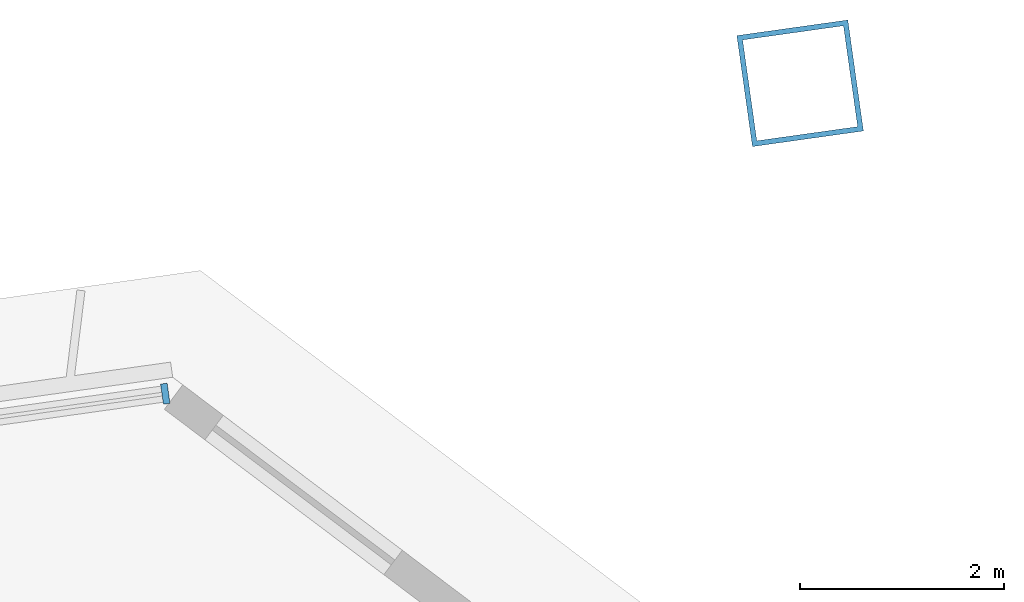
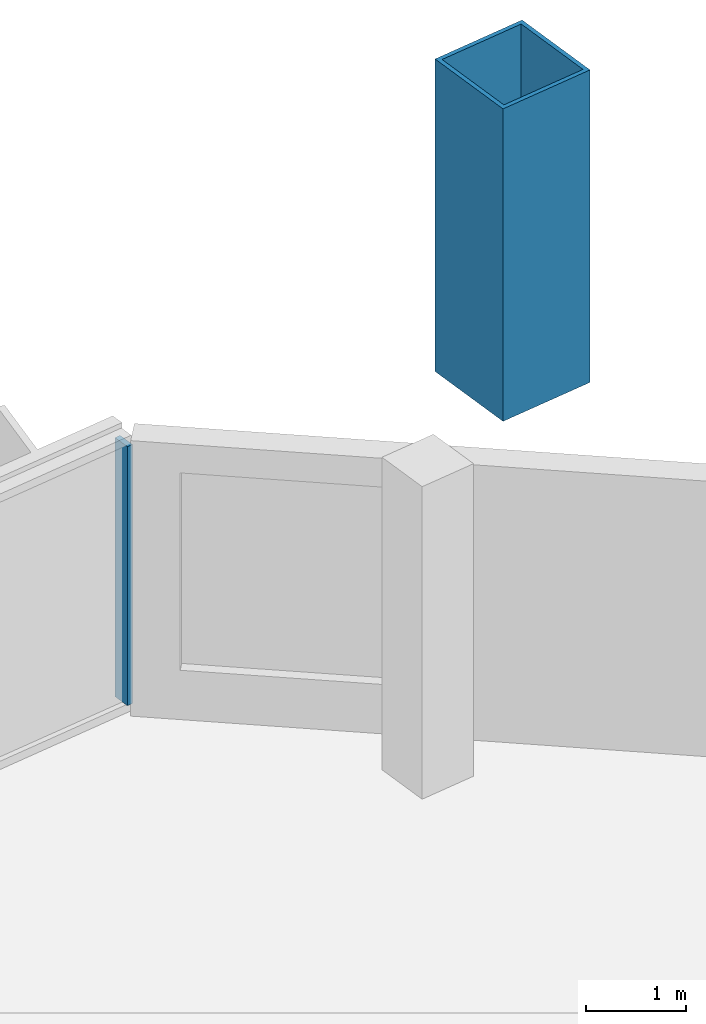
# One storey, part 10 of 20: 2 members, 1 element without a shape of its own.
"""IFC4 building model written with IfcOpenShell, lengths in metres."""

from ifc_helpers import new_model, si_unit, direction, frame, origin, origin_2d, place, context, subcontext, project, spatial, rectangle, hollow_rectangle, extrude, material, material_profile, profile_set, type_object, element, aggregate, save


model = new_model("IFC4")

# Units and contexts
model_context = context("Model", 3, precision=1e-05, world=origin(), true_north=direction((0.0, 1.0)))
body_context = subcontext(model_context, "Body", "Model", "MODEL_VIEW")
ifc_project = project(units=[si_unit("LENGTHUNIT", "METRE"), si_unit("AREAUNIT", "SQUARE_METRE"), si_unit("VOLUMEUNIT", "CUBIC_METRE"), si_unit("PLANEANGLEUNIT", "RADIAN"), si_unit("MASSUNIT", "GRAM", prefix="KILO")], contexts=[model_context])

# Site, building, storey
site_placement = place(None, origin())
site = spatial("IfcSite", under=ifc_project, at=site_placement, CompositionType="ELEMENT")
building_placement = place(site_placement, origin())
building = spatial("IfcBuilding", under=site, at=building_placement, Name="Mirante Cascada Hotel Towers", CompositionType="ELEMENT")
storey_placement = place(building_placement, frame((0.0, 0.0, 224.2)))
storey = spatial("IfcBuildingStorey", under=building, at=storey_placement, Name="L53", CompositionType="ELEMENT", Elevation=224.2)

# Member
ifc_material_1 = material(Name="Steel ASTM A572 Gr 50", Category="steel")
ifc_material_profile_1 = material_profile(ifc_material_1, hollow_rectangle(XDim=1.1, YDim=1.1, WallThickness=0.05, at=origin_2d()), Name="Box post 1100x1100x50 ASTM A572 Gr 50")
ifc_profile_set_1 = profile_set([ifc_material_profile_1], Name="Steel ASTM A572 Gr 50")
member_type_1 = type_object("IfcMemberType", Name="Box post 1100x1100x50 ASTM A572 Gr 50", PredefinedType="POST", material=ifc_profile_set_1)
member_1_placement = place(storey_placement, frame((73.62, 25.3368, 0.0), z_axis=(0.0, 0.0, 1.0), x_axis=(0.9902681, 0.1391731, 0.0)))
element("IfcMember", 1, at=member_1_placement, inside=storey, type_object=member_type_1, Name="Mega column MP3 T2 L53", PredefinedType="POST", context=body_context, shape_type="SweptSolid", body=[
    extrude(hollow_rectangle(XDim=1.1, YDim=1.1, WallThickness=0.05, at=origin_2d()), origin(), (0.0, 0.0, 1.0), 3.8),
])

# Curtain wall, member
ifc_material_2 = material(Name="Aluminium mullion and transom frame with clear laminated glass", Category="aluminium")
curtain_wall_type = type_object("IfcCurtainWallType", Name="Ribbon curtain wall ECW1", PredefinedType="NOTDEFINED", material=ifc_material_2)
curtain_wall_placement = place(storey_placement, origin())
curtain_wall = element("IfcCurtainWall", 2, at=curtain_wall_placement, inside=storey, type_object=curtain_wall_type, Name="Front ribbon wall T2 L53", PredefinedType="NOTDEFINED")
ifc_material_3 = material(Name="Anodised aluminium extrusion", Category="aluminium")
ifc_material_profile_2 = material_profile(ifc_material_3, rectangle(XDim=0.2, YDim=0.065, at=origin_2d()), Name="ECW1 MULLION 65x200")
ifc_profile_set_2 = profile_set([ifc_material_profile_2], Name="Anodised aluminium extrusion")
member_type_2 = type_object("IfcMemberType", Name="ECW1 mullion 65x200", PredefinedType="MULLION", material=ifc_profile_set_2)
member_2_placement = place(storey_placement, frame((67.3887, 22.2899, 0.1), z_axis=(0.0, 0.0, 1.0), x_axis=(0.1391731, -0.9902681, 0.0)))
member_2 = element("IfcMember", 3, at=member_2_placement, type_object=member_type_2, Name="ECW1 mullion 1", PredefinedType="MULLION", context=body_context, shape_type="SweptSolid", body=[
    extrude(rectangle(XDim=0.2, YDim=0.065, at=origin_2d()), origin(), (0.0, 0.0, 1.0), 3.15),
])
aggregate(curtain_wall, [member_2])

save(model, "model.ifc")
